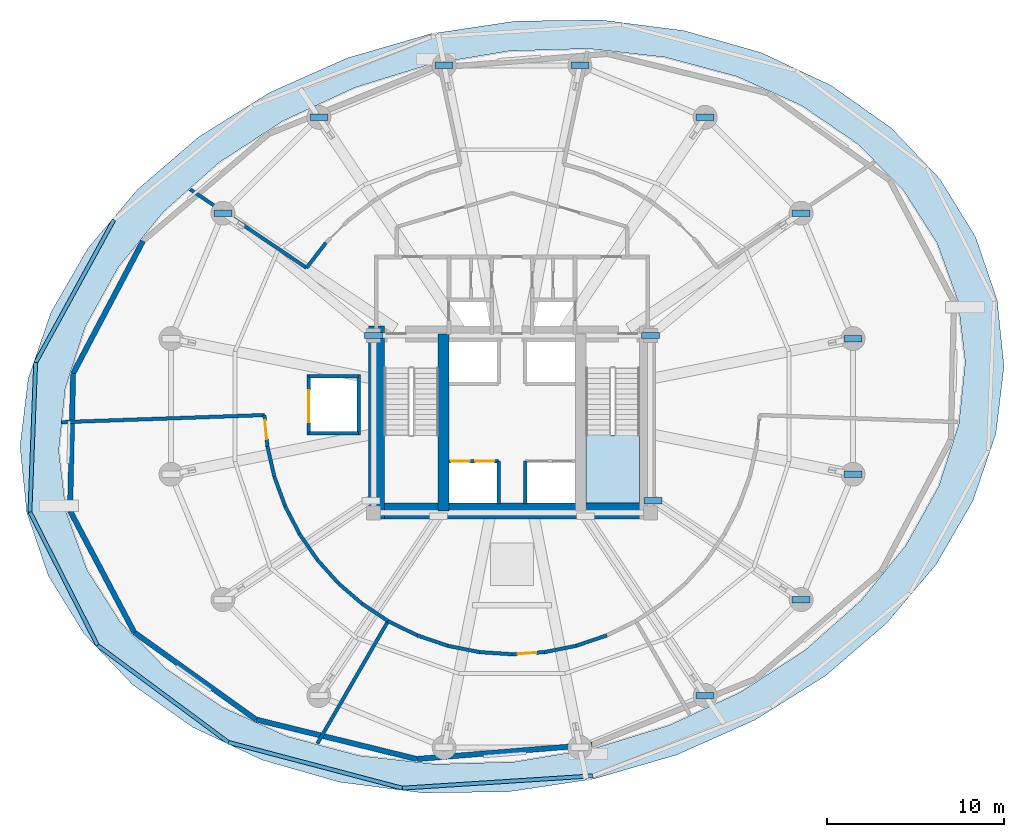
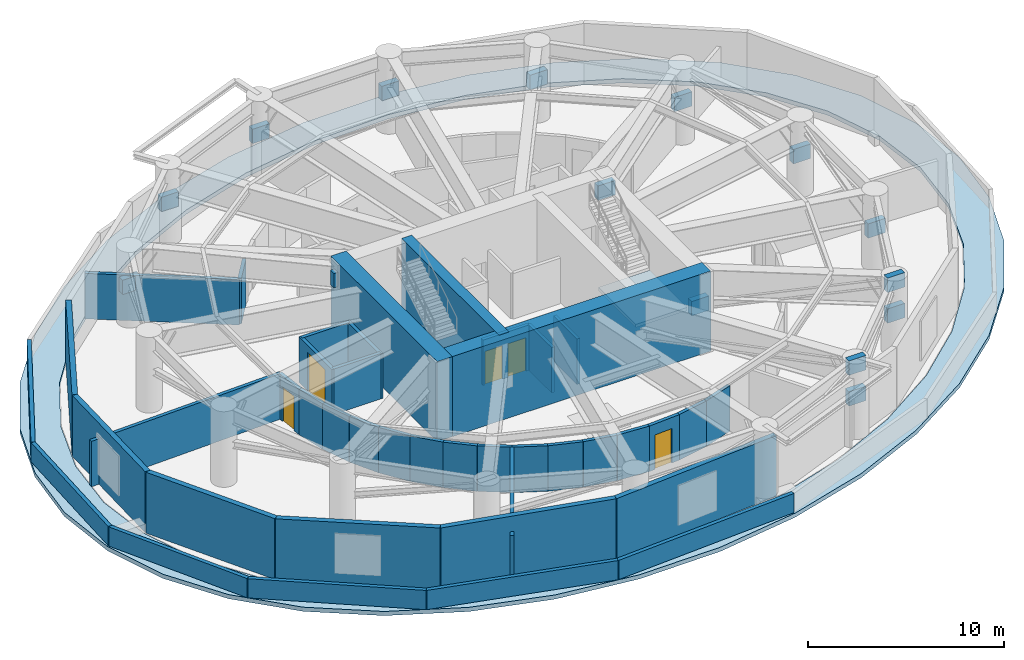
# One storey, part 3 of 8: 41 walls, 15 plates, 5 doors, 2 slabs, 5 openings, 1 element without a shape of its own.
"""IFC4 building model written with IfcOpenShell, lengths in metres."""

from ifc_helpers import new_model, si_unit, direction, frame, frame_2d, origin, origin_2d, place, context, subcontext, project, spatial, polyline, rectangle, outline, extrude, material, layer, layer_set, type_object, element, fill, aggregate, save


model = new_model("IFC4")

# Units and contexts
model_context = context("Model", 3, precision=1e-05, world=origin(), true_north=direction((0.0, 1.0)))
body_context = subcontext(model_context, "Body", "Model", "MODEL_VIEW")
ifc_project = project(units=[si_unit("LENGTHUNIT", "METRE"), si_unit("AREAUNIT", "SQUARE_METRE"), si_unit("VOLUMEUNIT", "CUBIC_METRE"), si_unit("PLANEANGLEUNIT", "RADIAN"), si_unit("MASSUNIT", "GRAM", prefix="KILO"), si_unit("THERMODYNAMICTEMPERATUREUNIT", "KELVIN"), si_unit("POWERUNIT", "WATT")], contexts=[model_context])

# Site, building, storey
site_placement = place(None, origin())
site = spatial("IfcSite", under=ifc_project, at=site_placement, CompositionType="ELEMENT")
building_placement = place(site_placement, origin())
building = spatial("IfcBuilding", under=site, at=building_placement, Name="Ocrelia Relay Tower", CompositionType="ELEMENT")
storey_placement = place(building_placement, frame((0.0, 0.0, 88.800048828125)))
storey = spatial("IfcBuildingStorey", under=building, at=storey_placement, Name="L20", CompositionType="ELEMENT", Elevation=88.800048828125)

# Plates
ifc_material_1 = material(Name="Steel S355", Category="steel")
ifc_layer_1 = layer(ifc_material_1, 0.035888671875, Name="Steel S355")
ifc_layer_set_1 = layer_set([ifc_layer_1], Name="Steel S355")
plate_type = type_object("IfcPlateType", Name="PL-NODE-ND-03", PredefinedType="USERDEFINED", material=ifc_layer_set_1)
for number, where, z_axis, x_axis, name in (
    (1, (41.800048828125, 30.0, 3.52001953125), (0.0, 0.0, 1.0), (1.0, 0.0, 0.0), "L20 Core Link Cast-In Wall Plate ND-03 (02)"),
    (2, (26.199951171875, 30.0, 3.52001953125), (0.0, 0.0, 1.0), (1.0, 0.0, 0.0), "L20 Core Link Cast-In Wall Plate ND-03 (07)"),
    (3, (44.88916015625, 9.703125, 3.820068359375), (0.0, 0.0, 1.0), (1.0, 0.0, 0.0), "L20 Outrigger Gusset Node ND-03 (14)"),
    (4, (50.296875, 15.11083984375, 3.820068359375), (0.0, 0.0, 1.0), (1.0, 0.0, 0.0), "L20 Outrigger Gusset Node ND-03 (15)"),
    (5, (41.949951171875, 20.68798828125, 1.89990234375), (0.0, 0.0, 1.0), (1.0, 0.0, 0.0), "L20 Outrigger Core Embed Node ND-03 (15)"),
    (6, (53.223388671875, 29.82373046875, 1.89990234375), (0.0, 0.0, 1.0), (1.0, 0.0, 0.0), "L20 Setback Raker Lower Node ND-03 (01)"),
    (7, (50.296875, 36.88916015625, 1.89990234375), (0.0, 0.0, 1.0), (1.0, 0.0, 0.0), "L20 Setback Raker Lower Node ND-03 (02)"),
    (8, (44.88916015625, 42.296875, 1.89990234375), (0.0, 0.0, 1.0), (1.0, 0.0, 0.0), "L20 Setback Raker Lower Node ND-03 (03)"),
    (9, (37.82373046875, 45.223388671875, 1.89990234375), (0.0, 0.0, 1.0), (1.0, 0.0, 0.0), "L20 Setback Raker Lower Node ND-03 (04)"),
    (10, (30.17626953125, 45.223388671875, 1.89990234375), (0.0, 0.0, 1.0), (1.0, 0.0, 0.0), "L20 Setback Raker Lower Node ND-03 (05)"),
    (11, (23.11083984375, 42.296875, 1.89990234375), (0.0, 0.0, 1.0), (1.0, 0.0, 0.0), "L20 Setback Raker Lower Node ND-03 (06)"),
    (12, (17.703125, 36.88916015625, 1.89990234375), (0.0, 0.0, 1.0), (1.0, 0.0, 0.0), "L20 Setback Raker Lower Node ND-03 (07)"),
    (13, (44.88916015625, 9.703125, 1.89990234375), (0.0, 0.0, 1.0), (1.0, 0.0, 0.0), "L20 Setback Raker Lower Node ND-03 (14)"),
    (14, (50.296875, 15.11083984375, 1.89990234375), (0.0, 0.0, 1.0), (1.0, 0.0, 0.0), "L20 Setback Raker Lower Node ND-03 (15)"),
    (15, (53.223388671875, 22.17626953125, 1.89990234375), (0.0, 0.0, 1.0), (1.0, 0.0, 0.0), "L20 Setback Raker Lower Node ND-03 (16)"),
):
    element("IfcPlate", number, at=place(storey_placement, frame(where, z_axis=z_axis, x_axis=x_axis)), inside=storey, type_object=plate_type, Name=name, ObjectType="GUSSET PLATE", PredefinedType="USERDEFINED", context=body_context, shape_type="SweptSolid", body=[
        extrude(rectangle(XDim=1.02001953125, YDim=0.360107421875, at=origin_2d()), origin(), (0.0, 0.0, 1.0), 0.89990234375),
    ])

# Stair, slab
ifc_material_2 = material(Name="Concrete C50/60", Category="concrete")
stair_type = type_object("IfcStairType", Name="ST-DL-1420-R179", PredefinedType="HALF_TURN_STAIR", material=ifc_material_2)
stair_placement = place(storey_placement, origin())
stair = element("IfcStair", 16, at=stair_placement, inside=storey, type_object=stair_type, Name="L20 East Core Exit Stair ST2", PredefinedType="HALF_TURN_STAIR")
ifc_layer_2 = layer(ifc_material_2, 0.199951171875, Name="Concrete C50/60")
ifc_layer_set_2 = layer_set([ifc_layer_2], Name="Concrete C50/60")
slab_type_1 = type_object("IfcSlabType", Name="SL-LANDING-200", PredefinedType="LANDING", material=ifc_layer_set_2)
slab_1_placement = place(storey_placement, frame((0.0, 0.0, 2.300048828125)))
slab_1 = element("IfcSlab", 17, at=slab_1_placement, type_object=slab_type_1, Name="ST2 landing 1", PredefinedType="LANDING", context=body_context, shape_type="SweptSolid", body=[
    extrude(outline(polyline([(38.159912109375, 24.3798828125), (38.159912109375, 20.550048828125), (41.199951171875, 20.550048828125), (41.199951171875, 24.3798828125), (38.159912109375, 24.3798828125)])), origin(), (0.0, 0.0, 1.0), 0.199951171875),
])
aggregate(stair, [slab_1])

# Slab
ifc_layer_3 = layer(ifc_material_2, 0.260009765625, Name="Concrete C50/60")
ifc_layer_set_3 = layer_set([ifc_layer_3], Name="Concrete C50/60")
slab_type_2 = type_object("IfcSlabType", Name="SL-ROOF-260", PredefinedType="ROOF", material=ifc_layer_set_3)
slab_2_placement = place(storey_placement, frame((0.0, 0.0, -0.260009765625)))
element("IfcSlab", 18, at=slab_2_placement, inside=storey, type_object=slab_type_2, Name="L20 Setback Maintenance Extensive Green Roof Slab", PredefinedType="ROOF", context=body_context, shape_type="SweptSolid", body=[
    extrude(outline(polyline([(61.35205078125, 31.98876953125), (60.137939453125, 35.544921875), (58.1298828125, 38.810791015625), (55.38818359375, 41.6875), (51.9970703125, 44.087890625), (48.058837890625, 45.938232421875), (43.693603515625, 47.18310546875), (39.03369140625, 47.7841796875), (34.220947265625, 47.723388671875), (29.401611328125, 47.00244140625), (24.7216796875, 45.6435546875), (20.323974609375, 43.6875), (16.341552734375, 41.1943359375), (12.895751953125, 38.239501953125), (10.09130859375, 34.91259765625), (8.01318359375, 31.31494140625), (6.724609375, 27.5556640625), (6.264892578125, 23.749267578125), (6.64794921875, 20.01123046875), (7.862060546875, 16.455078125), (9.8701171875, 13.189208984375), (12.61181640625, 10.3125), (16.0029296875, 7.912109375), (19.941162109375, 6.061767578125), (24.306396484375, 4.81689453125), (28.96630859375, 4.2158203125), (33.779052734375, 4.276611328125), (38.598388671875, 4.99755859375), (43.2783203125, 6.3564453125), (47.676025390625, 8.3125), (51.658447265625, 10.8056640625), (55.104248046875, 13.760498046875), (57.90869140625, 17.08740234375), (59.98681640625, 20.68505859375), (61.275390625, 24.4443359375), (61.735107421875, 28.250732421875), (61.35205078125, 31.98876953125)]), holes=[polyline([(59.13720703125, 31.942138671875), (57.963134765625, 35.202880859375), (56.06103515625, 38.18408203125), (53.488525390625, 40.795166015625), (50.323974609375, 42.95654296875), (46.663330078125, 44.602783203125), (42.617919921875, 45.683837890625), (38.310791015625, 46.166748046875), (33.872314453125, 46.036865234375), (29.43798828125, 45.298095703125), (25.142333984375, 43.97314453125), (21.11572265625, 42.10205078125), (17.480712890625, 39.74169921875), (14.347412109375, 36.963623046875), (11.8115234375, 33.8525390625), (9.94970703125, 30.5029296875), (8.818603515625, 27.0166015625), (8.452392578125, 23.499267578125), (8.86279296875, 20.057861328125), (10.036865234375, 16.797119140625), (11.93896484375, 13.81591796875), (14.511474609375, 11.204833984375), (17.676025390625, 9.04345703125), (21.336669921875, 7.397216796875), (25.382080078125, 6.316162109375), (29.689208984375, 5.833251953125), (34.127685546875, 5.963134765625), (38.56201171875, 6.701904296875), (42.857666015625, 8.02685546875), (46.88427734375, 9.89794921875), (50.519287109375, 12.25830078125), (53.652587890625, 15.036376953125), (56.1884765625, 18.1474609375), (58.05029296875, 21.4970703125), (59.181396484375, 24.9833984375), (59.547607421875, 28.500732421875), (59.13720703125, 31.942138671875)])]), origin(), (0.0, 0.0, 1.0), 0.260009765625),
])

# Walls
ifc_material_3 = material(Name="Concrete C70/85", Category="concrete")
ifc_layer_4 = layer(ifc_material_3, 0.89990234375, Name="Concrete C70/85")
ifc_layer_set_4 = layer_set([ifc_layer_4], Name="Concrete C70/85")
wall_type_1 = type_object("IfcWallType", Name="CW-CORE-900", PredefinedType="SHEAR", material=ifc_layer_set_4)
wall_1_placement = place(storey_placement, frame((25.922119140625, 20.112060546875, 0.0), z_axis=(0.0, 0.0, 1.0), x_axis=(1.0, 0.0, 0.0)))
element("IfcWall", 19, at=wall_1_placement, inside=storey, type_object=wall_type_1, Name="L20 Core Shear Wall S", PredefinedType="SHEAR", context=body_context, shape_type="SweptSolid", body=[
    extrude(rectangle(XDim=16.165771484375, YDim=0.89990234375, at=frame_2d((8.0830078125, 0.0))), origin(), (0.0, 0.0, 1.0), 5.0),
])
wall_2_placement = place(storey_placement, frame((26.3720703125, 19.662109375, 0.0), z_axis=(0.0, 0.0, 1.0), x_axis=(0.0, 1.0, 0.0)))
element("IfcWall", 20, at=wall_2_placement, inside=storey, type_object=wall_type_1, Name="L20 Core Shear Wall W", PredefinedType="SHEAR", context=body_context, shape_type="SweptSolid", body=[
    extrude(rectangle(XDim=10.8759765625, YDim=0.89990234375, at=frame_2d((5.43798828125, 0.0))), origin(), (0.0, 0.0, 1.0), 5.0),
])
wall_3_placement = place(storey_placement, frame((30.137939453125, 20.112060546875, 0.0), z_axis=(0.0, 0.0, 1.0), x_axis=(0.0, 1.0, 0.0)))
element("IfcWall", 21, at=wall_3_placement, inside=storey, type_object=wall_type_1, Name="L20 Core Shear Wall SPW", PredefinedType="SHEAR", context=body_context, shape_type="SweptSolid", body=[
    extrude(rectangle(XDim=9.975830078125, YDim=0.60009765625, at=frame_2d((4.98779296875, 0.0))), origin(), (0.0, 0.0, 1.0), 5.0),
])
ifc_material_4 = material(Name="Precast concrete C40/50 with oxide terracotta", Category="masonry")
ifc_layer_5 = layer(ifc_material_4, 0.300048828125, Name="Precast concrete C40/50 with oxide terracotta")
ifc_layer_set_5 = layer_set([ifc_layer_5], Name="Precast concrete C40/50 with oxide terracotta")
wall_type_2 = type_object("IfcWallType", Name="W-EXT-TERR-300", PredefinedType="SOLIDWALL", material=ifc_layer_set_5)
wall_4_placement = place(storey_placement, frame((13.1953125, 35.3232421875, 0.0), z_axis=(0.0, 0.0, 1.0), x_axis=(-0.466570065836, -0.884484241615, 0.0)))
element("IfcWall", 22, at=wall_4_placement, inside=storey, type_object=wall_type_2, Name="L20 Plant Terracotta Wall 07", PredefinedType="SOLIDWALL", context=body_context, shape_type="SweptSolid", body=[
    extrude(rectangle(XDim=8.439697265625, YDim=0.300048828125, at=frame_2d((4.2197265625, 0.0))), origin(), (0.0, 0.0, 1.0), 3.800048828125),
])
wall_5_placement = place(storey_placement, frame((9.257568359375, 27.8583984375, 0.0), z_axis=(0.0, 0.0, 1.0), x_axis=(-0.022052301021, -0.999756818441, 0.0)))
element("IfcWall", 23, at=wall_5_placement, inside=storey, type_object=wall_type_2, Name="L20 Plant Terracotta Wall 08", PredefinedType="SOLIDWALL", context=body_context, shape_type="SweptSolid", body=[
    extrude(rectangle(XDim=7.749755859375, YDim=0.300048828125, at=frame_2d((3.875, 0.0))), origin(), (0.0, 0.0, 1.0), 3.800048828125),
])
wall_6_placement = place(storey_placement, frame((9.086669921875, 20.110595703125, 0.0), z_axis=(0.0, 0.0, 1.0), x_axis=(0.46736220169, -0.884065932175, 0.0)))
element("IfcWall", 24, at=wall_6_placement, inside=storey, type_object=wall_type_2, Name="L20 Plant Terracotta Wall 09", PredefinedType="SOLIDWALL", context=body_context, shape_type="SweptSolid", body=[
    extrude(rectangle(XDim=7.74951171875, YDim=0.300048828125, at=frame_2d((3.874755859375, 0.0))), origin(), (0.0, 0.0, 1.0), 3.800048828125),
])
wall_7_placement = place(storey_placement, frame((12.70849609375, 13.259521484375, 0.0), z_axis=(0.0, 0.0, 1.0), x_axis=(0.813236717207, -0.581933021736, 0.0)))
element("IfcWall", 25, at=wall_7_placement, inside=storey, type_object=wall_type_2, Name="L20 Plant Terracotta Wall 10", PredefinedType="SOLIDWALL", context=body_context, shape_type="SweptSolid", body=[
    extrude(rectangle(XDim=8.439697265625, YDim=0.300048828125, at=frame_2d((4.2197265625, 0.0))), origin(), (0.0, 0.0, 1.0), 3.800048828125),
])
wall_8_placement = place(storey_placement, frame((19.572021484375, 8.34814453125, 0.0), z_axis=(0.0, 0.0, 1.0), x_axis=(0.971157582667, -0.23843856573, 0.0)))
element("IfcWall", 26, at=wall_8_placement, inside=storey, type_object=wall_type_2, Name="L20 Plant Terracotta Wall 11", PredefinedType="SOLIDWALL", context=body_context, shape_type="SweptSolid", body=[
    extrude(rectangle(XDim=9.328857421875, YDim=0.300048828125, at=frame_2d((4.66455078125, 0.0))), origin(), (0.0, 0.0, 1.0), 3.800048828125),
])
wall_9_placement = place(storey_placement, frame((28.6318359375, 6.123779296875, 0.0), z_axis=(0.0, 0.0, 1.0), x_axis=(0.996719708912, 0.080930969765, 0.0)))
element("IfcWall", 27, at=wall_9_placement, inside=storey, type_object=wall_type_2, Name="L20 Plant Terracotta Wall 12", PredefinedType="SOLIDWALL", context=body_context, shape_type="SweptSolid", body=[
    extrude(rectangle(XDim=9.90966796875, YDim=0.300048828125, at=frame_2d((4.954833984375, 0.0))), origin(), (0.0, 0.0, 1.0), 3.800048828125),
])
ifc_layer_6 = layer(ifc_material_4, 0.219970703125, Name="Precast concrete C40/50 with oxide terracotta")
ifc_layer_set_6 = layer_set([ifc_layer_6], Name="Precast concrete C40/50 with oxide terracotta")
wall_type_3 = type_object("IfcWallType", Name="W-PARAPET-220", PredefinedType="PARAPET", material=ifc_layer_set_6)
wall_10_placement = place(storey_placement, frame((11.55908203125, 36.519287109375, 0.0), z_axis=(0.0, 0.0, 1.0), x_axis=(-0.480744856235, -0.876860526654, 0.0)))
element("IfcWall", 28, at=wall_10_placement, inside=storey, type_object=wall_type_3, Name="L20 Setback Green Roof Parapet 07", PredefinedType="PARAPET", context=body_context, shape_type="SweptSolid", body=[
    extrude(rectangle(XDim=9.1767578125, YDim=0.219970703125, at=frame_2d((4.58837890625, 0.0))), origin(), (0.0, 0.0, 1.0), 1.199951171875),
])
wall_11_placement = place(storey_placement, frame((7.1474609375, 28.47265625, 0.0), z_axis=(0.0, 0.0, 1.0), x_axis=(-0.038406425467, -0.999262201068, 0.0)))
element("IfcWall", 29, at=wall_11_placement, inside=storey, type_object=wall_type_3, Name="L20 Setback Green Roof Parapet 08", PredefinedType="PARAPET", context=body_context, shape_type="SweptSolid", body=[
    extrude(rectangle(XDim=8.428955078125, YDim=0.219970703125, at=frame_2d((4.21435546875, 0.0))), origin(), (0.0, 0.0, 1.0), 1.199951171875),
])
wall_12_placement = place(storey_placement, frame((6.82373046875, 20.0498046875, 0.0), z_axis=(0.0, 0.0, 1.0), x_axis=(0.45244257473, -0.891793539207, 0.0)))
element("IfcWall", 30, at=wall_12_placement, inside=storey, type_object=wall_type_3, Name="L20 Setback Green Roof Parapet 09", PredefinedType="PARAPET", context=body_context, shape_type="SweptSolid", body=[
    extrude(rectangle(XDim=8.42919921875, YDim=0.219970703125, at=frame_2d((4.214599609375, 0.0))), origin(), (0.0, 0.0, 1.0), 1.199951171875),
])
wall_13_placement = place(storey_placement, frame((10.637451171875, 12.53271484375, 0.0), z_axis=(0.0, 0.0, 1.0), x_axis=(0.803178103792, -0.595738981089, 0.0)))
element("IfcWall", 31, at=wall_13_placement, inside=storey, type_object=wall_type_3, Name="L20 Setback Green Roof Parapet 10", PredefinedType="PARAPET", context=body_context, shape_type="SweptSolid", body=[
    extrude(rectangle(XDim=9.176513671875, YDim=0.219970703125, at=frame_2d((4.58837890625, 0.0))), origin(), (0.0, 0.0, 1.0), 1.199951171875),
])
wall_14_placement = place(storey_placement, frame((18.0078125, 7.06591796875, 0.0), z_axis=(0.0, 0.0, 1.0), x_axis=(0.966979346958, -0.254854747959, 0.0)))
element("IfcWall", 32, at=wall_14_placement, inside=storey, type_object=wall_type_3, Name="L20 Setback Green Roof Parapet 11", PredefinedType="PARAPET", context=body_context, shape_type="SweptSolid", body=[
    extrude(rectangle(XDim=10.139892578125, YDim=0.219970703125, at=frame_2d((5.06982421875, 0.0))), origin(), (0.0, 0.0, 1.0), 1.199951171875),
])
wall_15_placement = place(storey_placement, frame((27.81298828125, 4.481689453125, 0.0), z_axis=(0.0, 0.0, 1.0), x_axis=(0.997935492104, 0.064224244642, 0.0)))
element("IfcWall", 33, at=wall_15_placement, inside=storey, type_object=wall_type_3, Name="L20 Setback Green Roof Parapet 12", PredefinedType="PARAPET", context=body_context, shape_type="SweptSolid", body=[
    extrude(rectangle(XDim=10.769287109375, YDim=0.219970703125, at=frame_2d((5.384765625, 0.0))), origin(), (0.0, 0.0, 1.0), 1.199951171875),
])

# Wall, openings, doors
ifc_layer_7 = layer(ifc_material_2, 0.199951171875, Name="Concrete C50/60")
ifc_layer_set_7 = layer_set([ifc_layer_7], Name="Concrete C50/60")
wall_type_4 = type_object("IfcWallType", Name="W-SHAFT-EI120-200", PredefinedType="SOLIDWALL", material=ifc_layer_set_7)
wall_16_placement = place(storey_placement, frame((30.43994140625, 22.919921875, 0.0), z_axis=(0.0, 0.0, 1.0), x_axis=(1.0, 0.0, 0.0)))
wall_16 = element("IfcWall", 34, at=wall_16_placement, inside=storey, type_object=wall_type_4, Name="L20 Low-Rise Lift Hoistway Wall W", PredefinedType="SOLIDWALL", context=body_context, shape_type="SweptSolid", body=[
    extrude(rectangle(XDim=2.81005859375, YDim=0.199951171875, at=frame_2d((1.405029296875, 0.0))), origin(), (0.0, 0.0, 1.0), 2.83984375),
])
opening_1_placement = place(wall_16_placement, frame((0.1201171875, 0.0, 0.0)))
opening_1 = element("IfcOpeningElement", 35, at=opening_1_placement, cuts=wall_16, Name="Opening LD-PL1", PredefinedType="OPENING", context=body_context, shape_type="SweptSolid", body=[
    extrude(rectangle(XDim=1.050048828125, YDim=2.10009765625, at=frame_2d((0.52490234375, 1.050048828125))), frame((0.0, 0.10986328125, 0.0), z_axis=(0.0, -1.0, 0.0), x_axis=(1.0, 0.0, 0.0)), (0.0, 0.0, 1.0), 0.219970703125),
])
opening_2_placement = place(wall_16_placement, frame((1.5, 0.0, 0.0)))
opening_2 = element("IfcOpeningElement", 36, at=opening_2_placement, cuts=wall_16, Name="Opening LD-PL2", PredefinedType="OPENING", context=body_context, shape_type="SweptSolid", body=[
    extrude(rectangle(XDim=1.050048828125, YDim=2.10009765625, at=frame_2d((0.52490234375, 1.050048828125))), frame((0.0, 0.10986328125, 0.0), z_axis=(0.0, -1.0, 0.0), x_axis=(1.0, 0.0, 0.0)), (0.0, 0.0, 1.0), 0.219970703125),
])
ifc_material_5 = material(Name="Brushed stainless steel S355 lift landing door", Category="steel")
door_type_1 = type_object("IfcDoorType", Name="DR-LIFT-LAND-1050", OperationType="DOUBLE_DOOR_SLIDING", PredefinedType="USERDEFINED", material=ifc_material_5)
door_1_placement = place(opening_1_placement, origin())
door_1 = element("IfcDoor", 37, at=door_1_placement, inside=storey, type_object=door_type_1, Name="L20 Passenger Lift PL1 Sliding Landing Door", ObjectType="LANDING DOOR", OperationType="DOUBLE_DOOR_SLIDING", OverallHeight=2.10009765625, OverallWidth=1.050048828125, PredefinedType="USERDEFINED", context=body_context, shape_type="SweptSolid", body=[
    extrude(rectangle(XDim=1.050048828125, YDim=2.10009765625, at=frame_2d((0.52490234375, 1.050048828125))), frame((0.0, 0.02490234375, 0.0), z_axis=(0.0, -1.0, 0.0), x_axis=(1.0, 0.0, 0.0)), (0.0, 0.0, 1.0), 0.050048828125),
])
fill(opening_1, door_1)
door_2_placement = place(opening_2_placement, origin())
door_2 = element("IfcDoor", 38, at=door_2_placement, inside=storey, type_object=door_type_1, Name="L20 Passenger Lift PL2 Sliding Landing Door", ObjectType="LANDING DOOR", OperationType="DOUBLE_DOOR_SLIDING", OverallHeight=2.10009765625, OverallWidth=1.050048828125, PredefinedType="USERDEFINED", context=body_context, shape_type="SweptSolid", body=[
    extrude(rectangle(XDim=1.050048828125, YDim=2.10009765625, at=frame_2d((0.52490234375, 1.050048828125))), frame((0.0, 0.02490234375, 0.0), z_axis=(0.0, -1.0, 0.0), x_axis=(1.0, 0.0, 0.0)), (0.0, 0.0, 1.0), 0.050048828125),
])
fill(opening_2, door_2)

# Walls
for number, where, z_axis, x_axis, name in (
    (39, (33.25, 20.5, 0.0), (0.0, 0.0, 1.0), (0.0, 1.0, 0.0), "L20 Low-Rise Lift Throat Wall W"),
    (40, (34.75, 20.5, 0.0), (0.0, 0.0, 1.0), (0.0, 1.0, 0.0), "L20 Low-Rise Lift Throat Wall E"),
):
    element("IfcWall", number, at=place(storey_placement, frame(where, z_axis=z_axis, x_axis=x_axis)), inside=storey, type_object=wall_type_4, Name=name, PredefinedType="SOLIDWALL", context=body_context, shape_type="SweptSolid", body=[
        extrude(rectangle(XDim=2.419921875, YDim=0.179931640625, at=frame_2d((1.2099609375, 0.0))), origin(), (0.0, 0.0, 1.0), 2.83984375),
    ])

# Wall, opening, door
wall_17_placement = place(storey_placement, frame((22.550048828125, 24.39990234375, 0.0), z_axis=(0.0, 0.0, 1.0), x_axis=(0.0, 1.0, 0.0)))
wall_17 = element("IfcWall", 41, at=wall_17_placement, inside=storey, type_object=wall_type_4, Name="L20 Goods Lift Shaft West Wall", PredefinedType="SOLIDWALL", context=body_context, shape_type="SweptSolid", body=[
    extrude(rectangle(XDim=3.400146484375, YDim=0.199951171875, at=frame_2d((1.7001953125, 0.0))), origin(), (0.0, 0.0, 1.0), 2.83984375),
])
opening_3_placement = place(wall_17_placement, frame((0.699951171875, 0.0, 0.0)))
opening_3 = element("IfcOpeningElement", 42, at=opening_3_placement, cuts=wall_17, Name="Opening LD-GL1", PredefinedType="OPENING", context=body_context, shape_type="SweptSolid", body=[
    extrude(rectangle(XDim=1.800048828125, YDim=2.39990234375, at=frame_2d((0.89990234375, 1.199951171875))), frame((0.0, 0.10986328125, 0.0), z_axis=(0.0, -1.0, 0.0), x_axis=(1.0, 0.0, 0.0)), (0.0, 0.0, 1.0), 0.219970703125),
])
ifc_material_6 = material(Name="Heavy-duty stainless steel S355 goods landing door", Category="steel")
door_type_2 = type_object("IfcDoorType", Name="DR-GOODS-LAND-1800", OperationType="DOUBLE_DOOR_SLIDING", PredefinedType="USERDEFINED", material=ifc_material_6)
door_3_placement = place(opening_3_placement, origin())
door_3 = element("IfcDoor", 43, at=door_3_placement, inside=storey, type_object=door_type_2, Name="L20 Goods Lift GL1 Sliding Landing Door", ObjectType="LANDING DOOR", OperationType="DOUBLE_DOOR_SLIDING", OverallHeight=2.39990234375, OverallWidth=1.800048828125, PredefinedType="USERDEFINED", context=body_context, shape_type="SweptSolid", body=[
    extrude(rectangle(XDim=1.800048828125, YDim=2.39990234375, at=frame_2d((0.89990234375, 1.199951171875))), frame((0.0, 0.02490234375, 0.0), z_axis=(0.0, -1.0, 0.0), x_axis=(1.0, 0.0, 0.0)), (0.0, 0.0, 1.0), 0.050048828125),
])
fill(opening_3, door_3)

# Walls
wall_18_placement = place(storey_placement, frame((25.35009765625, 24.39990234375, 0.0), z_axis=(0.0, 0.0, 1.0), x_axis=(0.0, 1.0, 0.0)))
element("IfcWall", 44, at=wall_18_placement, inside=storey, type_object=wall_type_4, Name="L20 Goods Lift Shaft E Wall", PredefinedType="SOLIDWALL", context=body_context, shape_type="SweptSolid", body=[
    extrude(rectangle(XDim=3.400146484375, YDim=0.199951171875, at=frame_2d((1.7001953125, 0.0))), origin(), (0.0, 0.0, 1.0), 2.83984375),
])
for number, where, z_axis, x_axis, name in (
    (45, (22.550048828125, 24.5, 0.0), (0.0, 0.0, 1.0), (1.0, 0.0, 0.0), "L20 Goods Lift Shaft S Wall"),
    (46, (22.550048828125, 27.699951171875, 0.0), (0.0, 0.0, 1.0), (1.0, 0.0, 0.0), "L20 Goods Lift Shaft N Wall"),
):
    element("IfcWall", number, at=place(storey_placement, frame(where, z_axis=z_axis, x_axis=x_axis)), inside=storey, type_object=wall_type_4, Name=name, PredefinedType="SOLIDWALL", context=body_context, shape_type="SweptSolid", body=[
        extrude(rectangle(XDim=2.800048828125, YDim=0.199951171875, at=frame_2d((1.39990234375, 0.0))), origin(), (0.0, 0.0, 1.0), 2.83984375),
    ])
wall_19_placement = place(storey_placement, frame((22.418212890625, 33.81201171875, 0.0), z_axis=(0.0, 0.0, 1.0), x_axis=(0.611155812554, 0.791510311229, 0.0)))
element("IfcWall", 47, at=wall_19_placement, inside=storey, type_object=wall_type_4, Name="L20 West Area of Refuge Inner Wall 7", PredefinedType="SOLIDWALL", context=body_context, shape_type="SweptSolid", body=[
    extrude(rectangle(XDim=1.786865234375, YDim=0.199951171875, at=frame_2d((0.8935546875, 0.0))), origin(), (0.0, 0.0, 1.0), 2.83984375),
])
wall_20_placement = place(storey_placement, frame((22.418212890625, 33.81201171875, 0.0), z_axis=(0.0, 0.0, 1.0), x_axis=(-0.829044869761, 0.559182084766, 0.0)))
element("IfcWall", 48, at=wall_20_placement, inside=storey, type_object=wall_type_4, Name="L20 West Area of Refuge Radial Wall R1", PredefinedType="SOLIDWALL", context=body_context, shape_type="SweptSolid", body=[
    extrude(rectangle(XDim=7.917724609375, YDim=0.199951171875, at=frame_2d((3.958984375, 0.0))), origin(), (0.0, 0.0, 1.0), 2.83984375),
])
wall_21_placement = place(storey_placement, frame((27.014892578125, 13.901611328125, 0.0), z_axis=(0.0, 0.0, 1.0), x_axis=(-0.832666373331, 0.553774963973, 0.0)))
element("IfcWall", 49, at=wall_21_placement, inside=storey, type_object=wall_type_4, Name="L20 Adiabatic Chiller Plant Room Inner Wall 9", PredefinedType="SOLIDWALL", context=body_context, shape_type="SweptSolid", body=[
    extrude(rectangle(XDim=1.7666015625, YDim=0.199951171875, at=frame_2d((0.88330078125, 0.0))), origin(), (0.0, 0.0, 1.0), 2.83984375),
])
wall_22_placement = place(storey_placement, frame((25.5439453125, 14.8798828125, 0.0), z_axis=(0.0, 0.0, 1.0), x_axis=(-0.756135802683, 0.654414736922, 0.0)))
element("IfcWall", 50, at=wall_22_placement, inside=storey, type_object=wall_type_4, Name="L20 Adiabatic Chiller Plant Room Inner Wall 10", PredefinedType="SOLIDWALL", context=body_context, shape_type="SweptSolid", body=[
    extrude(rectangle(XDim=1.766357421875, YDim=0.199951171875, at=frame_2d((0.88330078125, 0.0))), origin(), (0.0, 0.0, 1.0), 2.83984375),
])
wall_23_placement = place(storey_placement, frame((24.208251953125, 16.035888671875, 0.0), z_axis=(0.0, 0.0, 1.0), x_axis=(-0.667497460352, 0.744612073784, 0.0)))
element("IfcWall", 51, at=wall_23_placement, inside=storey, type_object=wall_type_4, Name="L20 Adiabatic Chiller Plant Room Inner Wall 11", PredefinedType="SOLIDWALL", context=body_context, shape_type="SweptSolid", body=[
    extrude(rectangle(XDim=1.7666015625, YDim=0.199951171875, at=frame_2d((0.88330078125, 0.0))), origin(), (0.0, 0.0, 1.0), 2.83984375),
])
for number, where, z_axis, x_axis, name in (
    (52, (23.029052734375, 17.351318359375, 0.0), (0.0, 0.0, 1.0), (-0.56818180369, 0.822903055016, 0.0), "L20 Adiabatic Chiller Plant Room Inner Wall 12"),
    (53, (22.025390625, 18.804931640625, 0.0), (0.0, 0.0, 1.0), (-0.459828947546, 0.888007510666, 0.0), "L20 Adiabatic Chiller Plant Room Inner Wall 13"),
):
    element("IfcWall", number, at=place(storey_placement, frame(where, z_axis=z_axis, x_axis=x_axis)), inside=storey, type_object=wall_type_4, Name=name, PredefinedType="SOLIDWALL", context=body_context, shape_type="SweptSolid", body=[
        extrude(rectangle(XDim=1.766357421875, YDim=0.199951171875, at=frame_2d((0.88330078125, 0.0))), origin(), (0.0, 0.0, 1.0), 2.83984375),
    ])
for number, where, z_axis, x_axis, name in (
    (54, (21.213134765625, 20.37353515625, 0.0), (0.0, 0.0, 1.0), (-0.344116581363, 0.938926929229, 0.0), "L20 Adiabatic Chiller Plant Room Inner Wall 14"),
    (55, (20.605224609375, 22.0322265625, 0.0), (0.0, 0.0, 1.0), (-0.222779770731, 0.974868798225, 0.0), "L20 Adiabatic Chiller Plant Room Inner Wall 15"),
):
    element("IfcWall", number, at=place(storey_placement, frame(where, z_axis=z_axis, x_axis=x_axis)), inside=storey, type_object=wall_type_4, Name=name, PredefinedType="SOLIDWALL", context=body_context, shape_type="SweptSolid", body=[
        extrude(rectangle(XDim=1.7666015625, YDim=0.199951171875, at=frame_2d((0.88330078125, 0.0))), origin(), (0.0, 0.0, 1.0), 2.83984375),
    ])

# Wall, opening, door
wall_24_placement = place(storey_placement, frame((20.211669921875, 23.75439453125, 0.0), z_axis=(0.0, 0.0, 1.0), x_axis=(-0.09798475659, 0.99518791566, 0.0)))
wall_24 = element("IfcWall", 56, at=wall_24_placement, inside=storey, type_object=wall_type_4, Name="L20 Adiabatic Chiller Plant Room Inner Wall 16", PredefinedType="SOLIDWALL", context=body_context, shape_type="SweptSolid", body=[
    extrude(rectangle(XDim=1.7666015625, YDim=0.199951171875, at=frame_2d((0.88330078125, 0.0))), origin(), (0.0, 0.0, 1.0), 2.83984375),
])
opening_4_placement = place(wall_24_placement, frame((0.41259765625, 0.0, 0.0)))
opening_4 = element("IfcOpeningElement", 57, at=opening_4_placement, cuts=wall_24, Name="Opening D-FD90", PredefinedType="OPENING", context=body_context, shape_type="SweptSolid", body=[
    extrude(rectangle(XDim=1.050048828125, YDim=2.14990234375, at=frame_2d((0.52490234375, 1.074951171875))), frame((0.0, 0.10986328125, 0.0), z_axis=(0.0, -1.0, 0.0), x_axis=(1.0, 0.0, 0.0)), (0.0, 0.0, 1.0), 0.219970703125),
])
ifc_material_7 = material(Name="Steel S355 90-min fire door", Category="steel")
door_type_3 = type_object("IfcDoorType", Name="DR-STAIR-FD90-1050", OperationType="NOTDEFINED", PredefinedType="DOOR", material=ifc_material_7)
door_4_placement = place(opening_4_placement, origin())
door_4 = element("IfcDoor", 58, at=door_4_placement, inside=storey, type_object=door_type_3, Name="L20 Adiabatic Chiller Plant Room Fire Door", OperationType="SINGLE_SWING_RIGHT", OverallHeight=2.14990234375, OverallWidth=1.050048828125, PredefinedType="DOOR", context=body_context, shape_type="SweptSolid", body=[
    extrude(rectangle(XDim=1.050048828125, YDim=2.14990234375, at=frame_2d((0.52490234375, 1.074951171875))), frame((0.0, 0.02490234375, 0.0), z_axis=(0.0, -1.0, 0.0), x_axis=(1.0, 0.0, 0.0)), (0.0, 0.0, 1.0), 0.050048828125),
])
fill(opening_4, door_4)

# Walls
wall_25_placement = place(storey_placement, frame((20.03857421875, 25.512451171875, 0.0), z_axis=(0.0, 0.0, 1.0), x_axis=(-0.999391131754, -0.034890769141, 0.0)))
element("IfcWall", 59, at=wall_25_placement, inside=storey, type_object=wall_type_4, Name="L20 Adiabatic Chiller Plant Room Radial Wall R0", PredefinedType="SOLIDWALL", context=body_context, shape_type="SweptSolid", body=[
    extrude(rectangle(XDim=11.440673828125, YDim=0.199951171875, at=frame_2d((5.72021484375, 0.0))), origin(), (0.0, 0.0, 1.0), 2.83984375),
])
wall_26_placement = place(storey_placement, frame((27.014892578125, 13.901611328125, 0.0), z_axis=(0.0, 0.0, 1.0), x_axis=(-0.499983857782, -0.866034723298, 0.0)))
element("IfcWall", 60, at=wall_26_placement, inside=storey, type_object=wall_type_4, Name="L20 Adiabatic Chiller Plant Room Radial Wall R1", PredefinedType="SOLIDWALL", context=body_context, shape_type="SweptSolid", body=[
    extrude(rectangle(XDim=7.976806640625, YDim=0.199951171875, at=frame_2d((3.98828125, 0.0))), origin(), (0.0, 0.0, 1.0), 2.83984375),
])
for number, where, z_axis, x_axis, name in (
    (61, (39.34619140625, 13.093505859375, 0.0), (0.0, 0.0, 1.0), (-0.946932235345, -0.321433261603, 0.0), "L20 Air Handling Plant Room Inner Wall 10"),
    (62, (37.61572265625, 12.506103515625, 0.0), (0.0, 0.0, 1.0), (-0.980765225525, -0.195191117626, 0.0), "L20 Air Handling Plant Room Inner Wall 11"),
):
    element("IfcWall", number, at=place(storey_placement, frame(where, z_axis=z_axis, x_axis=x_axis)), inside=storey, type_object=wall_type_4, Name=name, PredefinedType="SOLIDWALL", context=body_context, shape_type="SweptSolid", body=[
        extrude(rectangle(XDim=1.827392578125, YDim=0.199951171875, at=frame_2d((0.91357421875, 0.0))), origin(), (0.0, 0.0, 1.0), 2.83984375),
    ])

# Wall, opening, door
wall_27_placement = place(storey_placement, frame((35.823486328125, 12.1494140625, 0.0), z_axis=(0.0, 0.0, 1.0), x_axis=(-0.997863664935, -0.065330744699, 0.0)))
wall_27 = element("IfcWall", 63, at=wall_27_placement, inside=storey, type_object=wall_type_4, Name="L20 Air Handling Plant Room Inner Wall 12", PredefinedType="SOLIDWALL", context=body_context, shape_type="SweptSolid", body=[
    extrude(rectangle(XDim=1.827392578125, YDim=0.199951171875, at=frame_2d((0.91357421875, 0.0))), origin(), (0.0, 0.0, 1.0), 2.83984375),
])
opening_5_placement = place(wall_27_placement, frame((0.4580078125, 0.0, 0.0)))
opening_5 = element("IfcOpeningElement", 64, at=opening_5_placement, cuts=wall_27, Name="Opening D-FD90", PredefinedType="OPENING", context=body_context, shape_type="SweptSolid", body=[
    extrude(rectangle(XDim=1.050048828125, YDim=2.14990234375, at=frame_2d((0.52490234375, 1.074951171875))), frame((0.0, 0.10986328125, 0.0), z_axis=(0.0, -1.0, 0.0), x_axis=(1.0, 0.0, 0.0)), (0.0, 0.0, 1.0), 0.219970703125),
])
door_5_placement = place(opening_5_placement, origin())
door_5 = element("IfcDoor", 65, at=door_5_placement, inside=storey, type_object=door_type_3, Name="L20 Air Handling Plant Room Fire Door", OperationType="SINGLE_SWING_LEFT", OverallHeight=2.14990234375, OverallWidth=1.050048828125, PredefinedType="DOOR", context=body_context, shape_type="SweptSolid", body=[
    extrude(rectangle(XDim=1.050048828125, YDim=2.14990234375, at=frame_2d((0.52490234375, 1.074951171875))), frame((0.0, 0.02490234375, 0.0), z_axis=(0.0, -1.0, 0.0), x_axis=(1.0, 0.0, 0.0)), (0.0, 0.0, 1.0), 0.050048828125),
])
fill(opening_5, door_5)

# Walls
for number, where, z_axis, x_axis, name in (
    (66, (34.0, 12.030029296875, 0.0), (0.0, 0.0, 1.0), (-0.997863664935, 0.065330744699, 0.0), "L20 Air Handling Plant Room Inner Wall 13"),
    (67, (32.176513671875, 12.1494140625, 0.0), (0.0, 0.0, 1.0), (-0.980765225525, 0.195191117626, 0.0), "L20 Air Handling Plant Room Inner Wall 14"),
    (68, (30.38427734375, 12.506103515625, 0.0), (0.0, 0.0, 1.0), (-0.946932235345, 0.321433261603, 0.0), "L20 Air Handling Plant Room Inner Wall 15"),
    (69, (28.65380859375, 13.093505859375, 0.0), (0.0, 0.0, 1.0), (-0.896898457254, 0.442236540073, 0.0), "L20 Air Handling Plant Room Inner Wall 16"),
):
    element("IfcWall", number, at=place(storey_placement, frame(where, z_axis=z_axis, x_axis=x_axis)), inside=storey, type_object=wall_type_4, Name=name, PredefinedType="SOLIDWALL", context=body_context, shape_type="SweptSolid", body=[
        extrude(rectangle(XDim=1.827392578125, YDim=0.199951171875, at=frame_2d((0.91357421875, 0.0))), origin(), (0.0, 0.0, 1.0), 2.83984375),
    ])

save(model, "model.ifc")
